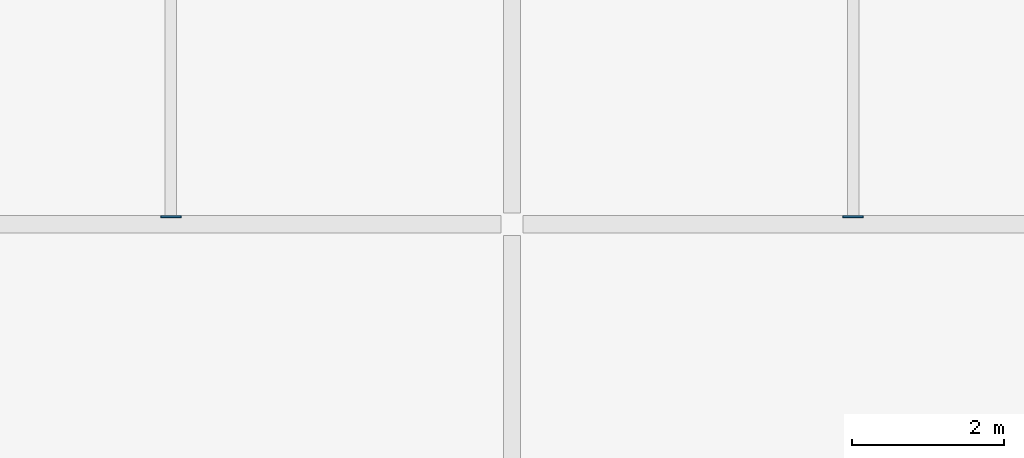
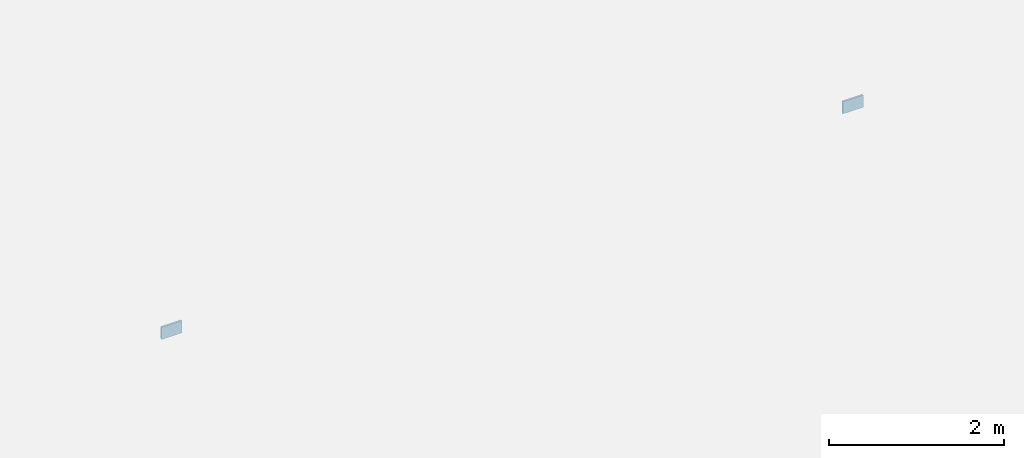
# One storey, part 4 of 7: 2 plates.
"""IFC4 building model written with IfcOpenShell, lengths in metres."""

from ifc_helpers import new_model, si_unit, direction, frame, origin, origin_2d, place, context, subcontext, project, spatial, rectangle, extrude, material, layer, layer_set, type_object, element, save


model = new_model("IFC4")

# Units and contexts
model_context = context("Model", 3, precision=1e-05, world=origin(), true_north=direction((0.0, 1.0)))
body_context = subcontext(model_context, "Body", "Model", "MODEL_VIEW")
ifc_project = project(units=[si_unit("LENGTHUNIT", "METRE"), si_unit("AREAUNIT", "SQUARE_METRE"), si_unit("VOLUMEUNIT", "CUBIC_METRE"), si_unit("PLANEANGLEUNIT", "RADIAN"), si_unit("MASSUNIT", "GRAM", prefix="KILO")], contexts=[model_context])

# Site, building, storey
site_placement = place(None, origin())
site = spatial("IfcSite", under=ifc_project, at=site_placement, CompositionType="ELEMENT")
building_placement = place(site_placement, origin())
building = spatial("IfcBuilding", under=site, at=building_placement, Name="Celestram Park Convention Centre", CompositionType="ELEMENT")
storey_placement = place(building_placement, frame((0.0, 0.0, 28.800048828125)))
storey = spatial("IfcBuildingStorey", under=building, at=storey_placement, Name="RF", CompositionType="ELEMENT", Elevation=28.800048828125)

# Plates
ifc_material = material(Name="Steel ASTM A572 Grade 50", Category="steel")
ifc_layer = layer(ifc_material, 0.02490234375)
ifc_layer_set = layer_set([ifc_layer], Name="Steel ASTM A572 Grade 50")
plate_type = type_object("IfcPlateType", Name="STR-PLT-EC250", PredefinedType="USERDEFINED", material=ifc_layer_set)
for number, where, z_axis, x_axis, name in (
    (1, (76.5, 136.89794921875, -0.449951171875), (0.0, 0.0, 1.0), (1.0, 0.0, 0.0), "HSS purlin end closure cap plate EC-RF-195"),
    (2, (85.5, 136.89794921875, -0.449951171875), (0.0, 0.0, 1.0), (1.0, 0.0, 0.0), "HSS purlin end closure cap plate EC-RF-197"),
):
    element("IfcPlate", number, at=place(storey_placement, frame(where, z_axis=z_axis, x_axis=x_axis)), inside=storey, type_object=plate_type, Name=name, ObjectType="GUSSET_PLATE", PredefinedType="USERDEFINED", context=body_context, shape_type="SweptSolid", body=[
        extrude(rectangle(XDim=0.27001953125, YDim=0.02490234375, at=origin_2d()), origin(), (0.0, 0.0, 1.0), 0.169921875),
    ])

save(model, "model.ifc")
